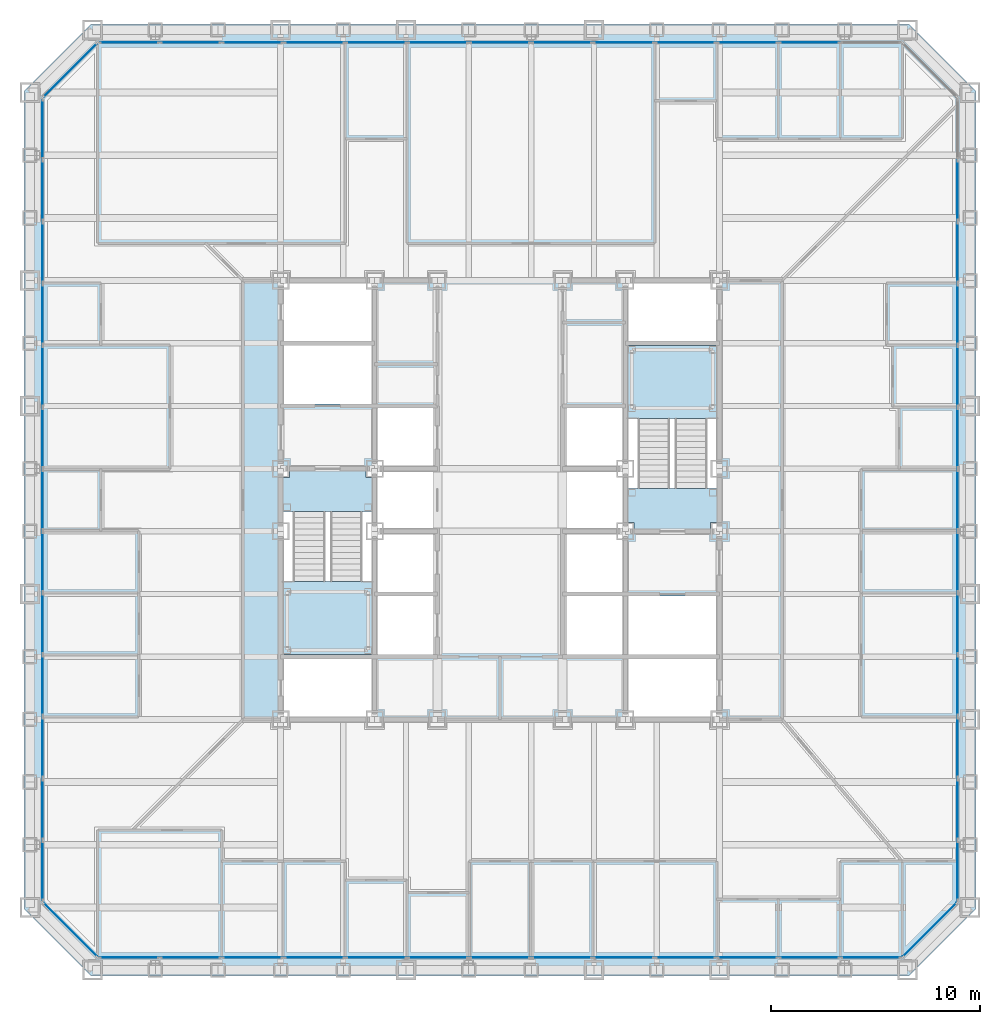
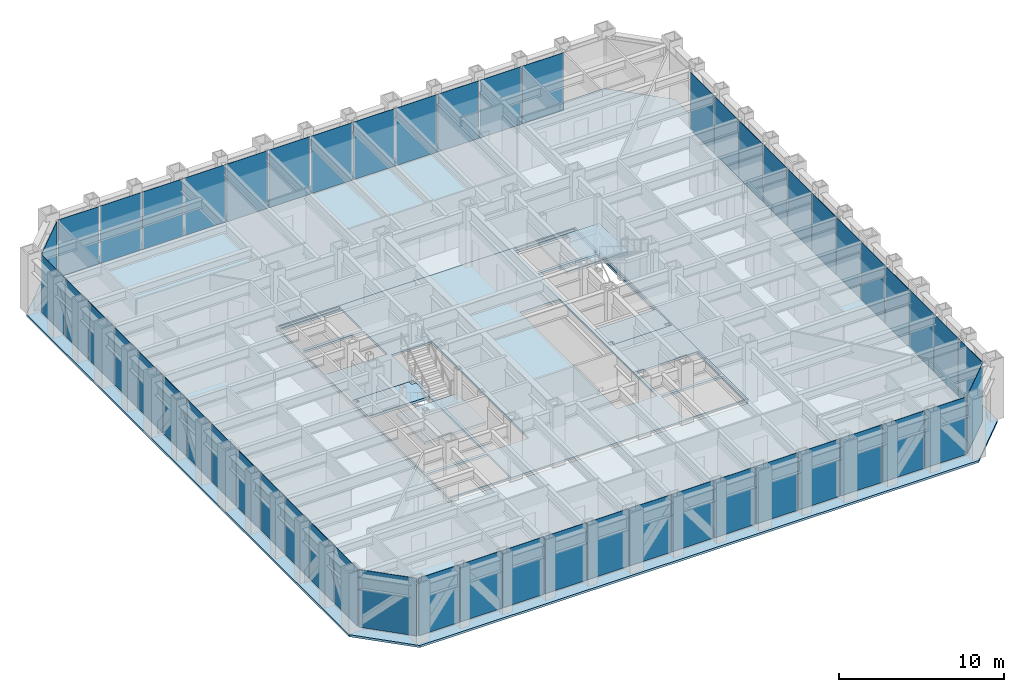
# One storey, part 7 of 16: 53 plates, 6 slabs, 9 elements without a shape of their own.
"""IFC4 building model written with IfcOpenShell, lengths in metres."""

from ifc_helpers import new_model, si_unit, direction, frame, origin, origin_2d, place, context, subcontext, project, spatial, polyline, rectangle, outline, extrude, material, layer, layer_set, type_object, element, aggregate, save


model = new_model("IFC4")

# Units and contexts
model_context = context("Model", 3, precision=1e-05, world=origin(), true_north=direction((0.0, 1.0)))
body_context = subcontext(model_context, "Body", "Model", "MODEL_VIEW")
ifc_project = project(units=[si_unit("LENGTHUNIT", "METRE"), si_unit("AREAUNIT", "SQUARE_METRE"), si_unit("VOLUMEUNIT", "CUBIC_METRE"), si_unit("PLANEANGLEUNIT", "RADIAN"), si_unit("MASSUNIT", "GRAM", prefix="KILO")], contexts=[model_context])

# Site, building, storey
site_placement = place(None, origin())
site = spatial("IfcSite", under=ifc_project, at=site_placement, CompositionType="ELEMENT")
building_placement = place(site_placement, origin())
building = spatial("IfcBuilding", under=site, at=building_placement, Name="Chuquiago Exchange Tower", CompositionType="ELEMENT")
storey_placement = place(building_placement, frame((0.0, 0.0, 33.300048828125)))
storey = spatial("IfcBuildingStorey", under=building, at=storey_placement, Name="L06", CompositionType="ELEMENT", Elevation=33.300048828125)

# Curtain wall, plates
ifc_material_1 = material(Name="Aluminium curtain wall system", Category="aluminium")
ifc_layer_1 = layer(ifc_material_1, 0.25)
ifc_layer_set_1 = layer_set([ifc_layer_1], Name="CW1 trading floor curtain wall")
curtain_wall_type_1 = type_object("IfcCurtainWallType", Name="CW1 trading floor curtain wall", PredefinedType="NOTDEFINED", material=ifc_layer_set_1)
curtain_wall_1_placement = place(storey_placement, origin())
curtain_wall_1 = element("IfcCurtainWall", 1, at=curtain_wall_1_placement, inside=storey, type_object=curtain_wall_type_1, Name="CW1 curtain wall L06", PredefinedType="NOTDEFINED")
ifc_material_2 = material(Name="Glass, insulating unit", Category="glass")
ifc_layer_2 = layer(ifc_material_2, 0.031982421875)
ifc_layer_set_2 = layer_set([ifc_layer_2], Name="CW1-P panel 32")
plate_type_1 = type_object("IfcPlateType", Name="CW1-P panel 32", PredefinedType="CURTAIN_PANEL", material=ifc_layer_set_2)
plate_1_placement = place(storey_placement, frame((10.65283203125, 0.60009765625, -0.22509765625), z_axis=(0.0, 0.0, 1.0), x_axis=(1.0, 0.0, 0.0)))
plate_1 = element("IfcPlate", 2, at=plate_1_placement, type_object=plate_type_1, Name="CW1 panel 3.1", PredefinedType="CURTAIN_PANEL", context=body_context, shape_type="SweptSolid", body=[
    extrude(rectangle(XDim=2.88671875, YDim=0.031982421875, at=origin_2d()), origin(), (0.0, 0.0, 1.0), 4.264892578125),
])
plate_2_placement = place(storey_placement, frame((13.61474609375, 0.60009765625, -0.22509765625), z_axis=(0.0, 0.0, 1.0), x_axis=(1.0, 0.0, 0.0)))
plate_2 = element("IfcPlate", 3, at=plate_2_placement, type_object=plate_type_1, Name="CW1 panel 4.1", PredefinedType="CURTAIN_PANEL", context=body_context, shape_type="SweptSolid", body=[
    extrude(rectangle(XDim=2.88671875, YDim=0.031982421875, at=origin_2d()), origin(), (0.0, 0.0, 1.0), 4.264892578125),
])
plate_3_placement = place(storey_placement, frame((16.576416015625, 0.60009765625, -0.22509765625), z_axis=(0.0, 0.0, 1.0), x_axis=(1.0, 0.0, 0.0)))
plate_3 = element("IfcPlate", 4, at=plate_3_placement, type_object=plate_type_1, Name="CW1 panel 5.1", PredefinedType="CURTAIN_PANEL", context=body_context, shape_type="SweptSolid", body=[
    extrude(rectangle(XDim=2.88671875, YDim=0.031982421875, at=origin_2d()), origin(), (0.0, 0.0, 1.0), 4.264892578125),
])
plate_4_placement = place(storey_placement, frame((25.461669921875, 0.60009765625, -0.22509765625), z_axis=(0.0, 0.0, 1.0), x_axis=(1.0, 0.0, 0.0)))
plate_4 = element("IfcPlate", 5, at=plate_4_placement, type_object=plate_type_1, Name="CW1 panel 8.1", PredefinedType="CURTAIN_PANEL", context=body_context, shape_type="SweptSolid", body=[
    extrude(rectangle(XDim=2.88671875, YDim=0.031982421875, at=origin_2d()), origin(), (0.0, 0.0, 1.0), 4.264892578125),
])
plate_5_placement = place(storey_placement, frame((28.423583984375, 0.60009765625, -0.22509765625), z_axis=(0.0, 0.0, 1.0), x_axis=(1.0, 0.0, 0.0)))
plate_5 = element("IfcPlate", 6, at=plate_5_placement, type_object=plate_type_1, Name="CW1 panel 9.1", PredefinedType="CURTAIN_PANEL", context=body_context, shape_type="SweptSolid", body=[
    extrude(rectangle(XDim=2.88671875, YDim=0.031982421875, at=origin_2d()), origin(), (0.0, 0.0, 1.0), 4.264892578125),
])
plate_6_placement = place(storey_placement, frame((31.38525390625, 0.60009765625, -0.22509765625), z_axis=(0.0, 0.0, 1.0), x_axis=(1.0, 0.0, 0.0)))
plate_6 = element("IfcPlate", 7, at=plate_6_placement, type_object=plate_type_1, Name="CW1 panel 10.1", PredefinedType="CURTAIN_PANEL", context=body_context, shape_type="SweptSolid", body=[
    extrude(rectangle(XDim=2.88671875, YDim=0.031982421875, at=origin_2d()), origin(), (0.0, 0.0, 1.0), 4.264892578125),
])
plate_7_placement = place(storey_placement, frame((34.34716796875, 0.60009765625, -0.22509765625), z_axis=(0.0, 0.0, 1.0), x_axis=(1.0, 0.0, 0.0)))
plate_7 = element("IfcPlate", 8, at=plate_7_placement, type_object=plate_type_1, Name="CW1 panel 11.1", PredefinedType="CURTAIN_PANEL", context=body_context, shape_type="SweptSolid", body=[
    extrude(rectangle(XDim=2.88671875, YDim=0.031982421875, at=origin_2d()), origin(), (0.0, 0.0, 1.0), 4.264892578125),
])

curtain_wall_2_placement = place(storey_placement, origin())
curtain_wall_2 = element("IfcCurtainWall", 9, at=curtain_wall_2_placement, inside=storey, type_object=curtain_wall_type_1, Name="CW1 curtain wall L06", PredefinedType="NOTDEFINED")
plate_8_placement = place(storey_placement, frame((44.39990234375, 10.65283203125, -0.22509765625), z_axis=(0.0, 0.0, 1.0), x_axis=(0.0, 1.0, 0.0)))
plate_8 = element("IfcPlate", 10, at=plate_8_placement, type_object=plate_type_1, Name="CW1 panel 3.1", PredefinedType="CURTAIN_PANEL", context=body_context, shape_type="SweptSolid", body=[
    extrude(rectangle(XDim=2.88671875, YDim=0.031982421875, at=origin_2d()), origin(), (0.0, 0.0, 1.0), 4.264892578125),
])
plate_9_placement = place(storey_placement, frame((44.39990234375, 13.61474609375, -0.22509765625), z_axis=(0.0, 0.0, 1.0), x_axis=(0.0, 1.0, 0.0)))
plate_9 = element("IfcPlate", 11, at=plate_9_placement, type_object=plate_type_1, Name="CW1 panel 4.1", PredefinedType="CURTAIN_PANEL", context=body_context, shape_type="SweptSolid", body=[
    extrude(rectangle(XDim=2.88671875, YDim=0.031982421875, at=origin_2d()), origin(), (0.0, 0.0, 1.0), 4.264892578125),
])
plate_10_placement = place(storey_placement, frame((44.39990234375, 16.576416015625, -0.22509765625), z_axis=(0.0, 0.0, 1.0), x_axis=(0.0, 1.0, 0.0)))
plate_10 = element("IfcPlate", 12, at=plate_10_placement, type_object=plate_type_1, Name="CW1 panel 5.1", PredefinedType="CURTAIN_PANEL", context=body_context, shape_type="SweptSolid", body=[
    extrude(rectangle(XDim=2.88671875, YDim=0.031982421875, at=origin_2d()), origin(), (0.0, 0.0, 1.0), 4.264892578125),
])
plate_11_placement = place(storey_placement, frame((44.39990234375, 25.461669921875, -0.22509765625), z_axis=(0.0, 0.0, 1.0), x_axis=(0.0, 1.0, 0.0)))
plate_11 = element("IfcPlate", 13, at=plate_11_placement, type_object=plate_type_1, Name="CW1 panel 8.1", PredefinedType="CURTAIN_PANEL", context=body_context, shape_type="SweptSolid", body=[
    extrude(rectangle(XDim=2.88671875, YDim=0.031982421875, at=origin_2d()), origin(), (0.0, 0.0, 1.0), 4.264892578125),
])
plate_12_placement = place(storey_placement, frame((44.39990234375, 28.423583984375, -0.22509765625), z_axis=(0.0, 0.0, 1.0), x_axis=(0.0, 1.0, 0.0)))
plate_12 = element("IfcPlate", 14, at=plate_12_placement, type_object=plate_type_1, Name="CW1 panel 9.1", PredefinedType="CURTAIN_PANEL", context=body_context, shape_type="SweptSolid", body=[
    extrude(rectangle(XDim=2.88671875, YDim=0.031982421875, at=origin_2d()), origin(), (0.0, 0.0, 1.0), 4.264892578125),
])
plate_13_placement = place(storey_placement, frame((44.39990234375, 31.38525390625, -0.22509765625), z_axis=(0.0, 0.0, 1.0), x_axis=(0.0, 1.0, 0.0)))
plate_13 = element("IfcPlate", 15, at=plate_13_placement, type_object=plate_type_1, Name="CW1 panel 10.1", PredefinedType="CURTAIN_PANEL", context=body_context, shape_type="SweptSolid", body=[
    extrude(rectangle(XDim=2.88671875, YDim=0.031982421875, at=origin_2d()), origin(), (0.0, 0.0, 1.0), 4.264892578125),
])
plate_14_placement = place(storey_placement, frame((44.39990234375, 34.34716796875, -0.22509765625), z_axis=(0.0, 0.0, 1.0), x_axis=(0.0, 1.0, 0.0)))
plate_14 = element("IfcPlate", 16, at=plate_14_placement, type_object=plate_type_1, Name="CW1 panel 11.1", PredefinedType="CURTAIN_PANEL", context=body_context, shape_type="SweptSolid", body=[
    extrude(rectangle(XDim=2.88671875, YDim=0.031982421875, at=origin_2d()), origin(), (0.0, 0.0, 1.0), 4.264892578125),
])

curtain_wall_3_placement = place(storey_placement, origin())
curtain_wall_3 = element("IfcCurtainWall", 17, at=curtain_wall_3_placement, inside=storey, type_object=curtain_wall_type_1, Name="CW1 curtain wall L06", PredefinedType="NOTDEFINED")
plate_15_placement = place(storey_placement, frame((34.34716796875, 44.39990234375, -0.22509765625), z_axis=(0.0, 0.0, 1.0), x_axis=(-1.0, 0.0, 0.0)))
plate_15 = element("IfcPlate", 18, at=plate_15_placement, type_object=plate_type_1, Name="CW1 panel 3.1", PredefinedType="CURTAIN_PANEL", context=body_context, shape_type="SweptSolid", body=[
    extrude(rectangle(XDim=2.88671875, YDim=0.031982421875, at=origin_2d()), origin(), (0.0, 0.0, 1.0), 4.264892578125),
])
plate_16_placement = place(storey_placement, frame((31.38525390625, 44.39990234375, -0.22509765625), z_axis=(0.0, 0.0, 1.0), x_axis=(-1.0, 0.0, 0.0)))
plate_16 = element("IfcPlate", 19, at=plate_16_placement, type_object=plate_type_1, Name="CW1 panel 4.1", PredefinedType="CURTAIN_PANEL", context=body_context, shape_type="SweptSolid", body=[
    extrude(rectangle(XDim=2.88671875, YDim=0.031982421875, at=origin_2d()), origin(), (0.0, 0.0, 1.0), 4.264892578125),
])
plate_17_placement = place(storey_placement, frame((28.423583984375, 44.39990234375, -0.22509765625), z_axis=(0.0, 0.0, 1.0), x_axis=(-1.0, 0.0, 0.0)))
plate_17 = element("IfcPlate", 20, at=plate_17_placement, type_object=plate_type_1, Name="CW1 panel 5.1", PredefinedType="CURTAIN_PANEL", context=body_context, shape_type="SweptSolid", body=[
    extrude(rectangle(XDim=2.88671875, YDim=0.031982421875, at=origin_2d()), origin(), (0.0, 0.0, 1.0), 4.264892578125),
])
plate_18_placement = place(storey_placement, frame((19.538330078125, 44.39990234375, -0.22509765625), z_axis=(0.0, 0.0, 1.0), x_axis=(-1.0, 0.0, 0.0)))
plate_18 = element("IfcPlate", 21, at=plate_18_placement, type_object=plate_type_1, Name="CW1 panel 8.1", PredefinedType="CURTAIN_PANEL", context=body_context, shape_type="SweptSolid", body=[
    extrude(rectangle(XDim=2.88671875, YDim=0.031982421875, at=origin_2d()), origin(), (0.0, 0.0, 1.0), 4.264892578125),
])
plate_19_placement = place(storey_placement, frame((16.576416015625, 44.39990234375, -0.22509765625), z_axis=(0.0, 0.0, 1.0), x_axis=(-1.0, 0.0, 0.0)))
plate_19 = element("IfcPlate", 22, at=plate_19_placement, type_object=plate_type_1, Name="CW1 panel 9.1", PredefinedType="CURTAIN_PANEL", context=body_context, shape_type="SweptSolid", body=[
    extrude(rectangle(XDim=2.88671875, YDim=0.031982421875, at=origin_2d()), origin(), (0.0, 0.0, 1.0), 4.264892578125),
])
plate_20_placement = place(storey_placement, frame((13.61474609375, 44.39990234375, -0.22509765625), z_axis=(0.0, 0.0, 1.0), x_axis=(-1.0, 0.0, 0.0)))
plate_20 = element("IfcPlate", 23, at=plate_20_placement, type_object=plate_type_1, Name="CW1 panel 10.1", PredefinedType="CURTAIN_PANEL", context=body_context, shape_type="SweptSolid", body=[
    extrude(rectangle(XDim=2.88671875, YDim=0.031982421875, at=origin_2d()), origin(), (0.0, 0.0, 1.0), 4.264892578125),
])
plate_21_placement = place(storey_placement, frame((10.65283203125, 44.39990234375, -0.22509765625), z_axis=(0.0, 0.0, 1.0), x_axis=(-1.0, 0.0, 0.0)))
plate_21 = element("IfcPlate", 24, at=plate_21_placement, type_object=plate_type_1, Name="CW1 panel 11.1", PredefinedType="CURTAIN_PANEL", context=body_context, shape_type="SweptSolid", body=[
    extrude(rectangle(XDim=2.88671875, YDim=0.031982421875, at=origin_2d()), origin(), (0.0, 0.0, 1.0), 4.264892578125),
])

curtain_wall_4_placement = place(storey_placement, origin())
curtain_wall_4 = element("IfcCurtainWall", 25, at=curtain_wall_4_placement, inside=storey, type_object=curtain_wall_type_1, Name="CW1 curtain wall L06", PredefinedType="NOTDEFINED")
plate_22_placement = place(storey_placement, frame((0.60009765625, 34.34716796875, -0.22509765625), z_axis=(0.0, 0.0, 1.0), x_axis=(0.0, -1.0, 0.0)))
plate_22 = element("IfcPlate", 26, at=plate_22_placement, type_object=plate_type_1, Name="CW1 panel 3.1", PredefinedType="CURTAIN_PANEL", context=body_context, shape_type="SweptSolid", body=[
    extrude(rectangle(XDim=2.88671875, YDim=0.031982421875, at=origin_2d()), origin(), (0.0, 0.0, 1.0), 4.264892578125),
])
plate_23_placement = place(storey_placement, frame((0.60009765625, 31.38525390625, -0.22509765625), z_axis=(0.0, 0.0, 1.0), x_axis=(0.0, -1.0, 0.0)))
plate_23 = element("IfcPlate", 27, at=plate_23_placement, type_object=plate_type_1, Name="CW1 panel 4.1", PredefinedType="CURTAIN_PANEL", context=body_context, shape_type="SweptSolid", body=[
    extrude(rectangle(XDim=2.88671875, YDim=0.031982421875, at=origin_2d()), origin(), (0.0, 0.0, 1.0), 4.264892578125),
])
plate_24_placement = place(storey_placement, frame((0.60009765625, 28.423583984375, -0.22509765625), z_axis=(0.0, 0.0, 1.0), x_axis=(0.0, -1.0, 0.0)))
plate_24 = element("IfcPlate", 28, at=plate_24_placement, type_object=plate_type_1, Name="CW1 panel 5.1", PredefinedType="CURTAIN_PANEL", context=body_context, shape_type="SweptSolid", body=[
    extrude(rectangle(XDim=2.88671875, YDim=0.031982421875, at=origin_2d()), origin(), (0.0, 0.0, 1.0), 4.264892578125),
])
plate_25_placement = place(storey_placement, frame((0.60009765625, 19.538330078125, -0.22509765625), z_axis=(0.0, 0.0, 1.0), x_axis=(0.0, -1.0, 0.0)))
plate_25 = element("IfcPlate", 29, at=plate_25_placement, type_object=plate_type_1, Name="CW1 panel 8.1", PredefinedType="CURTAIN_PANEL", context=body_context, shape_type="SweptSolid", body=[
    extrude(rectangle(XDim=2.88671875, YDim=0.031982421875, at=origin_2d()), origin(), (0.0, 0.0, 1.0), 4.264892578125),
])
plate_26_placement = place(storey_placement, frame((0.60009765625, 16.576416015625, -0.22509765625), z_axis=(0.0, 0.0, 1.0), x_axis=(0.0, -1.0, 0.0)))
plate_26 = element("IfcPlate", 30, at=plate_26_placement, type_object=plate_type_1, Name="CW1 panel 9.1", PredefinedType="CURTAIN_PANEL", context=body_context, shape_type="SweptSolid", body=[
    extrude(rectangle(XDim=2.88671875, YDim=0.031982421875, at=origin_2d()), origin(), (0.0, 0.0, 1.0), 4.264892578125),
])
plate_27_placement = place(storey_placement, frame((0.60009765625, 13.61474609375, -0.22509765625), z_axis=(0.0, 0.0, 1.0), x_axis=(0.0, -1.0, 0.0)))
plate_27 = element("IfcPlate", 31, at=plate_27_placement, type_object=plate_type_1, Name="CW1 panel 10.1", PredefinedType="CURTAIN_PANEL", context=body_context, shape_type="SweptSolid", body=[
    extrude(rectangle(XDim=2.88671875, YDim=0.031982421875, at=origin_2d()), origin(), (0.0, 0.0, 1.0), 4.264892578125),
])
plate_28_placement = place(storey_placement, frame((0.60009765625, 10.65283203125, -0.22509765625), z_axis=(0.0, 0.0, 1.0), x_axis=(0.0, -1.0, 0.0)))
plate_28 = element("IfcPlate", 32, at=plate_28_placement, type_object=plate_type_1, Name="CW1 panel 11.1", PredefinedType="CURTAIN_PANEL", context=body_context, shape_type="SweptSolid", body=[
    extrude(rectangle(XDim=2.88671875, YDim=0.031982421875, at=origin_2d()), origin(), (0.0, 0.0, 1.0), 4.264892578125),
])

# Plate
ifc_material_3 = material(Name="Insulated spandrel panel, pale anodised aluminium", Category="aluminium")
ifc_layer_3 = layer(ifc_material_3, 0.031982421875)
ifc_layer_set_3 = layer_set([ifc_layer_3], Name="CW1-P spandrel panel 32")
plate_type_2 = type_object("IfcPlateType", Name="CW1-P spandrel panel 32", PredefinedType="CURTAIN_PANEL", material=ifc_layer_set_3)
plate_29_placement = place(storey_placement, frame((4.748046875, 0.60009765625, -0.22509765625), z_axis=(0.0, 0.0, 1.0), x_axis=(1.0, 0.0, 0.0)))
plate_29 = element("IfcPlate", 33, at=plate_29_placement, type_object=plate_type_2, Name="CW1 panel 1.1", PredefinedType="CURTAIN_PANEL", context=body_context, shape_type="SweptSolid", body=[
    extrude(rectangle(XDim=2.849365234375, YDim=0.031982421875, at=origin_2d()), origin(), (0.0, 0.0, 1.0), 4.264892578125),
])

plate_30_placement = place(storey_placement, frame((7.691162109375, 0.60009765625, -0.22509765625), z_axis=(0.0, 0.0, 1.0), x_axis=(1.0, 0.0, 0.0)))
plate_30 = element("IfcPlate", 34, at=plate_30_placement, type_object=plate_type_2, Name="CW1 panel 2.1", PredefinedType="CURTAIN_PANEL", context=body_context, shape_type="SweptSolid", body=[
    extrude(rectangle(XDim=2.88671875, YDim=0.031982421875, at=origin_2d()), origin(), (0.0, 0.0, 1.0), 4.264892578125),
])

plate_31_placement = place(storey_placement, frame((19.538330078125, 0.60009765625, -0.22509765625), z_axis=(0.0, 0.0, 1.0), x_axis=(1.0, 0.0, 0.0)))
plate_31 = element("IfcPlate", 35, at=plate_31_placement, type_object=plate_type_2, Name="CW1 panel 6.1", PredefinedType="CURTAIN_PANEL", context=body_context, shape_type="SweptSolid", body=[
    extrude(rectangle(XDim=2.88671875, YDim=0.031982421875, at=origin_2d()), origin(), (0.0, 0.0, 1.0), 4.264892578125),
])

plate_32_placement = place(storey_placement, frame((22.5, 0.60009765625, -0.22509765625), z_axis=(0.0, 0.0, 1.0), x_axis=(1.0, 0.0, 0.0)))
plate_32 = element("IfcPlate", 36, at=plate_32_placement, type_object=plate_type_2, Name="CW1 panel 7.1", PredefinedType="CURTAIN_PANEL", context=body_context, shape_type="SweptSolid", body=[
    extrude(rectangle(XDim=2.88671875, YDim=0.031982421875, at=origin_2d()), origin(), (0.0, 0.0, 1.0), 4.264892578125),
])

plate_33_placement = place(storey_placement, frame((37.308837890625, 0.60009765625, -0.22509765625), z_axis=(0.0, 0.0, 1.0), x_axis=(1.0, 0.0, 0.0)))
plate_33 = element("IfcPlate", 37, at=plate_33_placement, type_object=plate_type_2, Name="CW1 panel 12.1", PredefinedType="CURTAIN_PANEL", context=body_context, shape_type="SweptSolid", body=[
    extrude(rectangle(XDim=2.88671875, YDim=0.031982421875, at=origin_2d()), origin(), (0.0, 0.0, 1.0), 4.264892578125),
])

plate_34_placement = place(storey_placement, frame((40.251953125, 0.60009765625, -0.22509765625), z_axis=(0.0, 0.0, 1.0), x_axis=(1.0, 0.0, 0.0)))
plate_34 = element("IfcPlate", 38, at=plate_34_placement, type_object=plate_type_2, Name="CW1 panel 13.1", PredefinedType="CURTAIN_PANEL", context=body_context, shape_type="SweptSolid", body=[
    extrude(rectangle(XDim=2.849365234375, YDim=0.031982421875, at=origin_2d()), origin(), (0.0, 0.0, 1.0), 4.264892578125),
])

aggregate(curtain_wall_1, [plate_29, plate_30, plate_1, plate_2, plate_3, plate_31, plate_32, plate_4, plate_5, plate_6, plate_7, plate_33, plate_34])

plate_35_placement = place(storey_placement, frame((44.39990234375, 4.748046875, -0.22509765625), z_axis=(0.0, 0.0, 1.0), x_axis=(0.0, 1.0, 0.0)))
plate_35 = element("IfcPlate", 39, at=plate_35_placement, type_object=plate_type_2, Name="CW1 panel 1.1", PredefinedType="CURTAIN_PANEL", context=body_context, shape_type="SweptSolid", body=[
    extrude(rectangle(XDim=2.849365234375, YDim=0.031982421875, at=origin_2d()), origin(), (0.0, 0.0, 1.0), 4.264892578125),
])

plate_36_placement = place(storey_placement, frame((44.39990234375, 7.691162109375, -0.22509765625), z_axis=(0.0, 0.0, 1.0), x_axis=(0.0, 1.0, 0.0)))
plate_36 = element("IfcPlate", 40, at=plate_36_placement, type_object=plate_type_2, Name="CW1 panel 2.1", PredefinedType="CURTAIN_PANEL", context=body_context, shape_type="SweptSolid", body=[
    extrude(rectangle(XDim=2.88671875, YDim=0.031982421875, at=origin_2d()), origin(), (0.0, 0.0, 1.0), 4.264892578125),
])

plate_37_placement = place(storey_placement, frame((44.39990234375, 19.538330078125, -0.22509765625), z_axis=(0.0, 0.0, 1.0), x_axis=(0.0, 1.0, 0.0)))
plate_37 = element("IfcPlate", 41, at=plate_37_placement, type_object=plate_type_2, Name="CW1 panel 6.1", PredefinedType="CURTAIN_PANEL", context=body_context, shape_type="SweptSolid", body=[
    extrude(rectangle(XDim=2.88671875, YDim=0.031982421875, at=origin_2d()), origin(), (0.0, 0.0, 1.0), 4.264892578125),
])

plate_38_placement = place(storey_placement, frame((44.39990234375, 22.5, -0.22509765625), z_axis=(0.0, 0.0, 1.0), x_axis=(0.0, 1.0, 0.0)))
plate_38 = element("IfcPlate", 42, at=plate_38_placement, type_object=plate_type_2, Name="CW1 panel 7.1", PredefinedType="CURTAIN_PANEL", context=body_context, shape_type="SweptSolid", body=[
    extrude(rectangle(XDim=2.88671875, YDim=0.031982421875, at=origin_2d()), origin(), (0.0, 0.0, 1.0), 4.264892578125),
])

plate_39_placement = place(storey_placement, frame((44.39990234375, 37.308837890625, -0.22509765625), z_axis=(0.0, 0.0, 1.0), x_axis=(0.0, 1.0, 0.0)))
plate_39 = element("IfcPlate", 43, at=plate_39_placement, type_object=plate_type_2, Name="CW1 panel 12.1", PredefinedType="CURTAIN_PANEL", context=body_context, shape_type="SweptSolid", body=[
    extrude(rectangle(XDim=2.88671875, YDim=0.031982421875, at=origin_2d()), origin(), (0.0, 0.0, 1.0), 4.264892578125),
])

aggregate(curtain_wall_2, [plate_35, plate_36, plate_8, plate_9, plate_10, plate_37, plate_38, plate_11, plate_12, plate_13, plate_14, plate_39])

plate_40_placement = place(storey_placement, frame((37.308837890625, 44.39990234375, -0.22509765625), z_axis=(0.0, 0.0, 1.0), x_axis=(-1.0, 0.0, 0.0)))
plate_40 = element("IfcPlate", 44, at=plate_40_placement, type_object=plate_type_2, Name="CW1 panel 2.1", PredefinedType="CURTAIN_PANEL", context=body_context, shape_type="SweptSolid", body=[
    extrude(rectangle(XDim=2.88671875, YDim=0.031982421875, at=origin_2d()), origin(), (0.0, 0.0, 1.0), 4.264892578125),
])

plate_41_placement = place(storey_placement, frame((25.461669921875, 44.39990234375, -0.22509765625), z_axis=(0.0, 0.0, 1.0), x_axis=(-1.0, 0.0, 0.0)))
plate_41 = element("IfcPlate", 45, at=plate_41_placement, type_object=plate_type_2, Name="CW1 panel 6.1", PredefinedType="CURTAIN_PANEL", context=body_context, shape_type="SweptSolid", body=[
    extrude(rectangle(XDim=2.88671875, YDim=0.031982421875, at=origin_2d()), origin(), (0.0, 0.0, 1.0), 4.264892578125),
])

plate_42_placement = place(storey_placement, frame((22.5, 44.39990234375, -0.22509765625), z_axis=(0.0, 0.0, 1.0), x_axis=(-1.0, 0.0, 0.0)))
plate_42 = element("IfcPlate", 46, at=plate_42_placement, type_object=plate_type_2, Name="CW1 panel 7.1", PredefinedType="CURTAIN_PANEL", context=body_context, shape_type="SweptSolid", body=[
    extrude(rectangle(XDim=2.88671875, YDim=0.031982421875, at=origin_2d()), origin(), (0.0, 0.0, 1.0), 4.264892578125),
])

plate_43_placement = place(storey_placement, frame((7.691162109375, 44.39990234375, -0.22509765625), z_axis=(0.0, 0.0, 1.0), x_axis=(-1.0, 0.0, 0.0)))
plate_43 = element("IfcPlate", 47, at=plate_43_placement, type_object=plate_type_2, Name="CW1 panel 12.1", PredefinedType="CURTAIN_PANEL", context=body_context, shape_type="SweptSolid", body=[
    extrude(rectangle(XDim=2.88671875, YDim=0.031982421875, at=origin_2d()), origin(), (0.0, 0.0, 1.0), 4.264892578125),
])

plate_44_placement = place(storey_placement, frame((4.748046875, 44.39990234375, -0.22509765625), z_axis=(0.0, 0.0, 1.0), x_axis=(-1.0, 0.0, 0.0)))
plate_44 = element("IfcPlate", 48, at=plate_44_placement, type_object=plate_type_2, Name="CW1 panel 13.1", PredefinedType="CURTAIN_PANEL", context=body_context, shape_type="SweptSolid", body=[
    extrude(rectangle(XDim=2.849365234375, YDim=0.031982421875, at=origin_2d()), origin(), (0.0, 0.0, 1.0), 4.264892578125),
])

aggregate(curtain_wall_3, [plate_40, plate_15, plate_16, plate_17, plate_41, plate_42, plate_18, plate_19, plate_20, plate_21, plate_43, plate_44])

plate_45_placement = place(storey_placement, frame((0.60009765625, 40.251953125, -0.22509765625), z_axis=(0.0, 0.0, 1.0), x_axis=(0.0, -1.0, 0.0)))
plate_45 = element("IfcPlate", 49, at=plate_45_placement, type_object=plate_type_2, Name="CW1 panel 1.1", PredefinedType="CURTAIN_PANEL", context=body_context, shape_type="SweptSolid", body=[
    extrude(rectangle(XDim=2.849365234375, YDim=0.031982421875, at=origin_2d()), origin(), (0.0, 0.0, 1.0), 4.264892578125),
])

plate_46_placement = place(storey_placement, frame((0.60009765625, 37.308837890625, -0.22509765625), z_axis=(0.0, 0.0, 1.0), x_axis=(0.0, -1.0, 0.0)))
plate_46 = element("IfcPlate", 50, at=plate_46_placement, type_object=plate_type_2, Name="CW1 panel 2.1", PredefinedType="CURTAIN_PANEL", context=body_context, shape_type="SweptSolid", body=[
    extrude(rectangle(XDim=2.88671875, YDim=0.031982421875, at=origin_2d()), origin(), (0.0, 0.0, 1.0), 4.264892578125),
])

plate_47_placement = place(storey_placement, frame((0.60009765625, 25.461669921875, -0.22509765625), z_axis=(0.0, 0.0, 1.0), x_axis=(0.0, -1.0, 0.0)))
plate_47 = element("IfcPlate", 51, at=plate_47_placement, type_object=plate_type_2, Name="CW1 panel 6.1", PredefinedType="CURTAIN_PANEL", context=body_context, shape_type="SweptSolid", body=[
    extrude(rectangle(XDim=2.88671875, YDim=0.031982421875, at=origin_2d()), origin(), (0.0, 0.0, 1.0), 4.264892578125),
])

plate_48_placement = place(storey_placement, frame((0.60009765625, 22.5, -0.22509765625), z_axis=(0.0, 0.0, 1.0), x_axis=(0.0, -1.0, 0.0)))
plate_48 = element("IfcPlate", 52, at=plate_48_placement, type_object=plate_type_2, Name="CW1 panel 7.1", PredefinedType="CURTAIN_PANEL", context=body_context, shape_type="SweptSolid", body=[
    extrude(rectangle(XDim=2.88671875, YDim=0.031982421875, at=origin_2d()), origin(), (0.0, 0.0, 1.0), 4.264892578125),
])

plate_49_placement = place(storey_placement, frame((0.60009765625, 7.691162109375, -0.22509765625), z_axis=(0.0, 0.0, 1.0), x_axis=(0.0, -1.0, 0.0)))
plate_49 = element("IfcPlate", 53, at=plate_49_placement, type_object=plate_type_2, Name="CW1 panel 12.1", PredefinedType="CURTAIN_PANEL", context=body_context, shape_type="SweptSolid", body=[
    extrude(rectangle(XDim=2.88671875, YDim=0.031982421875, at=origin_2d()), origin(), (0.0, 0.0, 1.0), 4.264892578125),
])

plate_50_placement = place(storey_placement, frame((0.60009765625, 4.748046875, -0.22509765625), z_axis=(0.0, 0.0, 1.0), x_axis=(0.0, -1.0, 0.0)))
plate_50 = element("IfcPlate", 54, at=plate_50_placement, type_object=plate_type_2, Name="CW1 panel 13.1", PredefinedType="CURTAIN_PANEL", context=body_context, shape_type="SweptSolid", body=[
    extrude(rectangle(XDim=2.849365234375, YDim=0.031982421875, at=origin_2d()), origin(), (0.0, 0.0, 1.0), 4.264892578125),
])

aggregate(curtain_wall_4, [plate_45, plate_46, plate_22, plate_23, plate_24, plate_47, plate_48, plate_25, plate_26, plate_27, plate_28, plate_49, plate_50])

# Curtain wall, plate
ifc_material_4 = material(Name="Aluminium curtain wall system", Category="aluminium")
ifc_layer_4 = layer(ifc_material_4, 0.199951171875)
ifc_layer_set_4 = layer_set([ifc_layer_4], Name="CW3 facet curtain wall")
curtain_wall_type_2 = type_object("IfcCurtainWallType", Name="CW3 facet curtain wall", PredefinedType="NOTDEFINED", material=ifc_layer_set_4)
curtain_wall_5_placement = place(storey_placement, origin())
curtain_wall_5 = element("IfcCurtainWall", 55, at=curtain_wall_5_placement, inside=storey, type_object=curtain_wall_type_2, Name="CW3 curtain wall L06", PredefinedType="NOTDEFINED")
ifc_material_5 = material(Name="Insulated spandrel panel, pale anodised aluminium", Category="aluminium")
ifc_layer_5 = layer(ifc_material_5, 0.030029296875)
ifc_layer_set_5 = layer_set([ifc_layer_5], Name="CW3-P spandrel panel 30")
plate_type_3 = type_object("IfcPlateType", Name="CW3-P spandrel panel 30", PredefinedType="CURTAIN_PANEL", material=ifc_layer_set_5)
plate_51_placement = place(storey_placement, frame((43.07568359375, 1.92431640625, -0.235107421875), z_axis=(0.0, 0.0, 1.0), x_axis=(0.707106781187, 0.707106781187, 0.0)))
plate_51 = element("IfcPlate", 56, at=plate_51_placement, type_object=plate_type_3, Name="CW3 panel 1.1", PredefinedType="CURTAIN_PANEL", context=body_context, shape_type="SweptSolid", body=[
    extrude(rectangle(XDim=3.615478515625, YDim=0.030029296875, at=origin_2d()), origin(), (0.0, 0.0, 1.0), 4.27490234375),
])
aggregate(curtain_wall_5, [plate_51])

curtain_wall_6_placement = place(storey_placement, origin())
curtain_wall_6 = element("IfcCurtainWall", 57, at=curtain_wall_6_placement, inside=storey, type_object=curtain_wall_type_2, Name="CW3 curtain wall L06", PredefinedType="NOTDEFINED")
plate_52_placement = place(storey_placement, frame((1.92431640625, 43.07568359375, -0.235107421875), z_axis=(0.0, 0.0, 1.0), x_axis=(-0.707106781187, -0.707106781187, 0.0)))
plate_52 = element("IfcPlate", 58, at=plate_52_placement, type_object=plate_type_3, Name="CW3 panel 1.1", PredefinedType="CURTAIN_PANEL", context=body_context, shape_type="SweptSolid", body=[
    extrude(rectangle(XDim=3.615478515625, YDim=0.030029296875, at=origin_2d()), origin(), (0.0, 0.0, 1.0), 4.27490234375),
])
aggregate(curtain_wall_6, [plate_52])

curtain_wall_7_placement = place(storey_placement, origin())
curtain_wall_7 = element("IfcCurtainWall", 59, at=curtain_wall_7_placement, inside=storey, type_object=curtain_wall_type_2, Name="CW3 curtain wall L06", PredefinedType="NOTDEFINED")
plate_53_placement = place(storey_placement, frame((1.92431640625, 1.92431640625, -0.235107421875), z_axis=(0.0, 0.0, 1.0), x_axis=(0.707106781187, -0.707106781187, 0.0)))
plate_53 = element("IfcPlate", 60, at=plate_53_placement, type_object=plate_type_3, Name="CW3 panel 1.1", PredefinedType="CURTAIN_PANEL", context=body_context, shape_type="SweptSolid", body=[
    extrude(rectangle(XDim=3.615478515625, YDim=0.030029296875, at=origin_2d()), origin(), (0.0, 0.0, 1.0), 4.27490234375),
])
aggregate(curtain_wall_7, [plate_53])

# Slabs
ifc_material_6 = material(Name="Concrete C30/37", Category="concrete")
ifc_layer_6 = layer(ifc_material_6, 0.159912109375)
ifc_layer_set_6 = layer_set([ifc_layer_6], Name="FS1 composite floor 160")
slab_type_1 = type_object("IfcSlabType", Name="FS1 composite floor 160", PredefinedType="FLOOR", material=ifc_layer_set_6)
slab_1_placement = place(storey_placement, frame((0.0, 0.0, -0.4599609375)))
element("IfcSlab", 61, at=slab_1_placement, inside=storey, type_object=slab_type_1, Name="L06 floor slab, lowered under the raised floor", PredefinedType="FLOOR", context=body_context, shape_type="SweptSolid", body=[
    extrude(outline(polyline([(-0.25, 2.896484375), (-0.25, 42.103515625), (2.896484375, 45.25), (42.103515625, 45.25), (45.25, 42.103515625), (45.25, 2.896484375), (42.103515625, -0.25), (2.896484375, -0.25), (-0.25, 2.896484375)]), holes=[polyline([(33.0, 33.0), (12.0, 33.0), (12.0, 12.0), (33.0, 12.0), (33.0, 33.0)])]), origin(), (0.0, 0.0, 1.0), 0.159912109375),
])
slab_2_placement = place(storey_placement, frame((0.0, 0.0, -0.16015625)))
element("IfcSlab", 62, at=slab_2_placement, inside=storey, type_object=slab_type_1, Name="L06 core floor slab", PredefinedType="FLOOR", context=body_context, shape_type="SweptSolid", body=[
    extrude(outline(polyline([(33.0, 12.0), (33.0, 33.0), (12.0, 33.0), (12.0, 12.0), (33.0, 12.0)]), holes=[polyline([(16.39990234375, 15.10009765625), (12.10009765625, 15.10009765625), (12.10009765625, 23.89990234375), (16.39990234375, 23.89990234375), (16.39990234375, 15.10009765625)]), polyline([(32.89990234375, 21.10009765625), (28.60009765625, 21.10009765625), (28.60009765625, 29.89990234375), (32.89990234375, 29.89990234375), (32.89990234375, 21.10009765625)]), polyline([(16.39990234375, 12.10009765625), (12.10009765625, 12.10009765625), (12.10009765625, 14.89990234375), (16.39990234375, 14.89990234375), (16.39990234375, 12.10009765625)]), polyline([(16.39990234375, 30.10009765625), (12.10009765625, 30.10009765625), (12.10009765625, 32.89990234375), (16.39990234375, 32.89990234375), (16.39990234375, 30.10009765625)]), polyline([(32.89990234375, 12.10009765625), (28.60009765625, 12.10009765625), (28.60009765625, 14.89990234375), (32.89990234375, 14.89990234375), (32.89990234375, 12.10009765625)]), polyline([(32.89990234375, 30.10009765625), (28.60009765625, 30.10009765625), (28.60009765625, 32.89990234375), (32.89990234375, 32.89990234375), (32.89990234375, 30.10009765625)]), polyline([(16.39990234375, 27.10009765625), (12.10009765625, 27.10009765625), (12.10009765625, 29.89990234375), (16.39990234375, 29.89990234375), (16.39990234375, 27.10009765625)]), polyline([(32.89990234375, 15.10009765625), (28.60009765625, 15.10009765625), (28.60009765625, 17.89990234375), (32.89990234375, 17.89990234375), (32.89990234375, 15.10009765625)]), polyline([(19.39990234375, 15.10009765625), (16.60009765625, 15.10009765625), (16.60009765625, 26.89990234375), (19.39990234375, 26.89990234375), (19.39990234375, 15.10009765625)]), polyline([(28.39990234375, 15.10009765625), (25.60009765625, 15.10009765625), (25.60009765625, 26.89990234375), (28.39990234375, 26.89990234375), (28.39990234375, 15.10009765625)])]), origin(), (0.0, 0.0, 1.0), 0.16015625),
])

# Stair, slabs
ifc_material_7 = material(Name="Concrete C30/37, precast", Category="concrete")
stair_type_1 = type_object("IfcStairType", Name="ST1 half-turn stair 4500", PredefinedType="HALF_TURN_STAIR", material=ifc_material_7)
stair_1_placement = place(storey_placement, origin())
stair_1 = element("IfcStair", 63, at=stair_1_placement, inside=storey, type_object=stair_type_1, Name="Stair ST1 L06", PredefinedType="HALF_TURN_STAIR")
ifc_material_8 = material(Name="Concrete C30/37, precast", Category="concrete")
ifc_layer_7 = layer(ifc_material_8, 0.199951171875)
ifc_layer_set_7 = layer_set([ifc_layer_7], Name="ST-L landing 200")
slab_type_2 = type_object("IfcSlabType", Name="ST-L landing 200", PredefinedType="LANDING", material=ifc_layer_set_7)
slab_3_placement = place(storey_placement, frame((0.0, 0.0, -0.199951171875)))
slab_3 = element("IfcSlab", 64, at=slab_3_placement, type_object=slab_type_2, Name="ST1 landing 1", PredefinedType="LANDING", context=body_context, shape_type="SweptSolid", body=[
    extrude(outline(polyline([(12.425048828125, 23.89990234375), (16.074951171875, 23.89990234375), (16.074951171875, 23.574951171875), (16.39990234375, 23.574951171875), (16.39990234375, 21.949951171875), (12.10009765625, 21.949951171875), (12.10009765625, 23.574951171875), (12.425048828125, 23.574951171875), (12.425048828125, 23.89990234375)])), origin(), (0.0, 0.0, 1.0), 0.199951171875),
])
slab_4_placement = place(storey_placement, frame((0.0, 0.0, 2.050048828125)))
slab_4 = element("IfcSlab", 65, at=slab_4_placement, type_object=slab_type_2, Name="ST1 landing 2", PredefinedType="LANDING", context=body_context, shape_type="SweptSolid", body=[
    extrude(outline(polyline([(12.10009765625, 18.590087890625), (16.39990234375, 18.590087890625), (16.39990234375, 15.10009765625), (12.10009765625, 15.10009765625), (12.10009765625, 18.590087890625)])), origin(), (0.0, 0.0, 1.0), 0.199951171875),
])
aggregate(stair_1, [slab_3, slab_4])

ifc_material_9 = material(Name="Concrete C30/37, precast", Category="concrete")
stair_type_2 = type_object("IfcStairType", Name="ST2 half-turn stair 4500", PredefinedType="HALF_TURN_STAIR", material=ifc_material_9)
stair_2_placement = place(storey_placement, origin())
stair_2 = element("IfcStair", 66, at=stair_2_placement, inside=storey, type_object=stair_type_2, Name="Stair ST2 L06", PredefinedType="HALF_TURN_STAIR")
slab_5_placement = place(storey_placement, frame((0.0, 0.0, -0.199951171875)))
slab_5 = element("IfcSlab", 67, at=slab_5_placement, type_object=slab_type_2, Name="ST2 landing 1", PredefinedType="LANDING", context=body_context, shape_type="SweptSolid", body=[
    extrude(outline(polyline([(32.574951171875, 21.425048828125), (32.574951171875, 21.10009765625), (28.925048828125, 21.10009765625), (28.925048828125, 21.425048828125), (28.60009765625, 21.425048828125), (28.60009765625, 23.050048828125), (32.89990234375, 23.050048828125), (32.89990234375, 21.425048828125), (32.574951171875, 21.425048828125)])), origin(), (0.0, 0.0, 1.0), 0.199951171875),
])
slab_6_placement = place(storey_placement, frame((0.0, 0.0, 2.050048828125)))
slab_6 = element("IfcSlab", 68, at=slab_6_placement, type_object=slab_type_2, Name="ST2 landing 2", PredefinedType="LANDING", context=body_context, shape_type="SweptSolid", body=[
    extrude(outline(polyline([(28.60009765625, 29.89990234375), (32.89990234375, 29.89990234375), (32.89990234375, 26.409912109375), (28.60009765625, 26.409912109375), (28.60009765625, 29.89990234375)])), origin(), (0.0, 0.0, 1.0), 0.199951171875),
])
aggregate(stair_2, [slab_5, slab_6])

save(model, "model.ifc")
